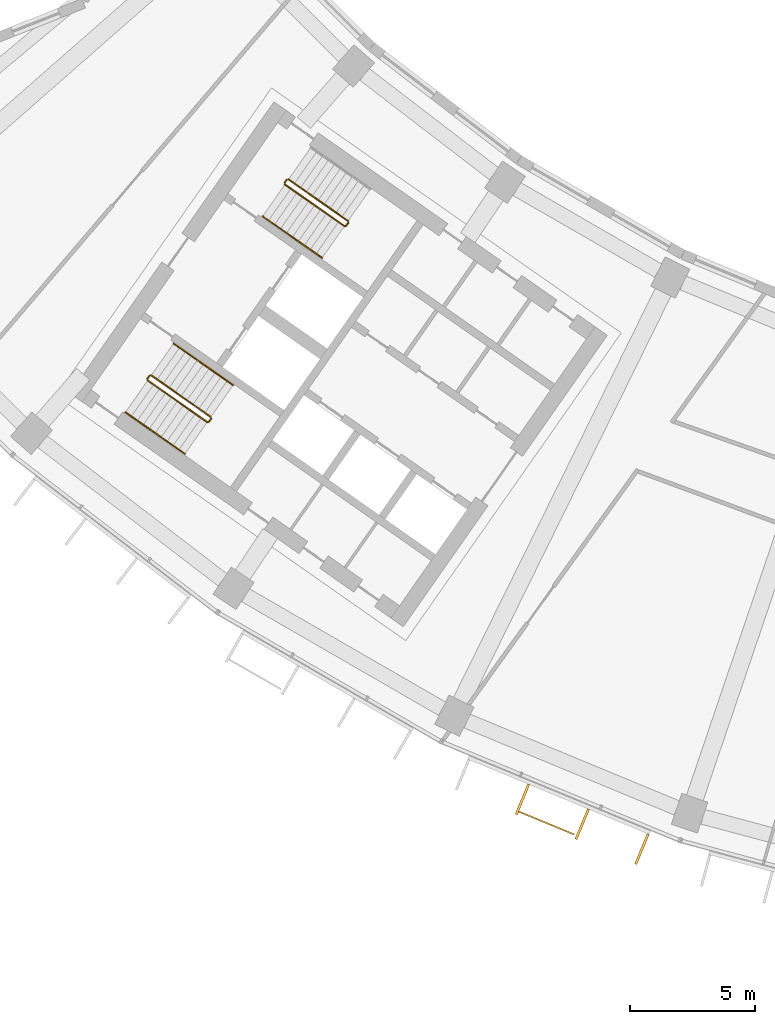
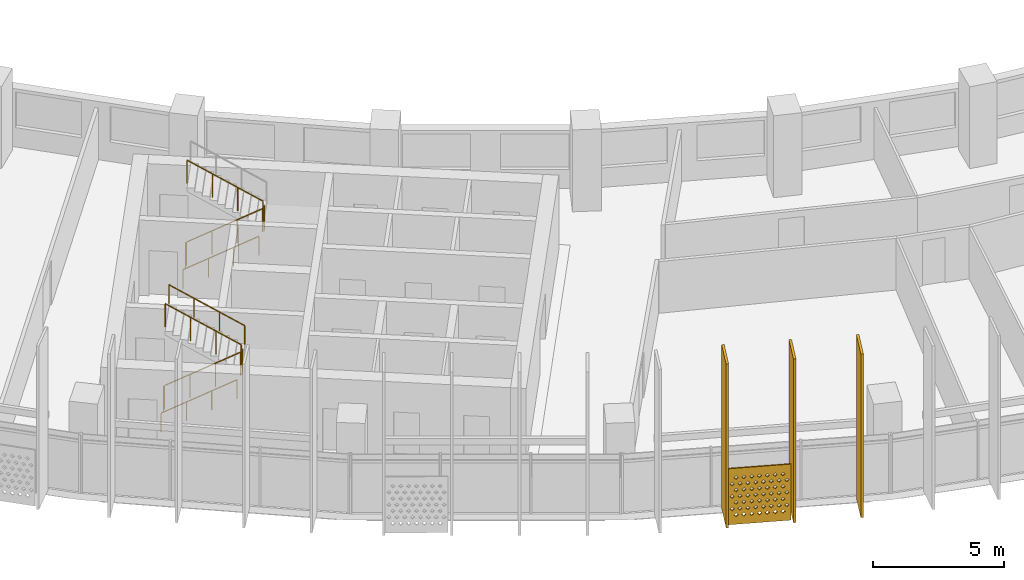
# One storey, part 22 of 26: 9 railings, 4 shading devices.
"""IFC4 building model written with IfcOpenShell, lengths in metres."""

from ifc_helpers import new_model, si_unit, direction, frame, origin, origin_2d, place, context, subcontext, project, spatial, polyline, rectangle, circle, outline, extrude, material, material_profile, profile_set, type_object, element, save


model = new_model("IFC4")

# Units and contexts
model_context = context("Model", 3, precision=1e-05, world=origin(), true_north=direction((0.0, 1.0)))
body_context = subcontext(model_context, "Body", "Model", "MODEL_VIEW")
ifc_project = project(units=[si_unit("LENGTHUNIT", "METRE"), si_unit("AREAUNIT", "SQUARE_METRE"), si_unit("VOLUMEUNIT", "CUBIC_METRE"), si_unit("PLANEANGLEUNIT", "RADIAN"), si_unit("MASSUNIT", "GRAM", prefix="KILO")], contexts=[model_context])

# Site, building, storey
site_placement = place(None, origin())
site = spatial("IfcSite", under=ifc_project, at=site_placement, CompositionType="ELEMENT")
building_placement = place(site_placement, origin())
building = spatial("IfcBuilding", under=site, at=building_placement, Name="Qamariyya Broadcast Tower", CompositionType="ELEMENT")
storey_placement = place(building_placement, frame((0.0, 0.0, 156.89990234375)))
storey = spatial("IfcBuildingStorey", under=building, at=storey_placement, Name="L36", CompositionType="ELEMENT", Elevation=156.89990234375)

# Shading device
ifc_material_1 = material(Name="Perforated glazed terracotta", Category="masonry")
ifc_material_profile_1 = material_profile(ifc_material_1, outline(polyline([(-1.199951171875, -1.300048828125), (1.199951171875, -1.300048828125), (1.199951171875, 1.300048828125), (-1.199951171875, 1.300048828125), (-1.199951171875, -1.300048828125)]), holes=[polyline([(-0.81494140625, -0.86669921875), (-0.89990234375, -0.78173828125), (-0.985107421875, -0.86669921875), (-0.89990234375, -0.95166015625), (-0.81494140625, -0.86669921875)]), polyline([(-0.514892578125, -0.86669921875), (-0.60009765625, -0.78173828125), (-0.68505859375, -0.86669921875), (-0.60009765625, -0.95166015625), (-0.514892578125, -0.86669921875)]), polyline([(-0.215087890625, -0.86669921875), (-0.300048828125, -0.78173828125), (-0.385009765625, -0.86669921875), (-0.300048828125, -0.95166015625), (-0.215087890625, -0.86669921875)]), polyline([(0.0849609375, -0.86669921875), (0.0, -0.78173828125), (-0.0849609375, -0.86669921875), (0.0, -0.95166015625), (0.0849609375, -0.86669921875)]), polyline([(0.385009765625, -0.86669921875), (0.300048828125, -0.78173828125), (0.215087890625, -0.86669921875), (0.300048828125, -0.95166015625), (0.385009765625, -0.86669921875)]), polyline([(0.68505859375, -0.86669921875), (0.60009765625, -0.78173828125), (0.514892578125, -0.86669921875), (0.60009765625, -0.95166015625), (0.68505859375, -0.86669921875)]), polyline([(0.985107421875, -0.86669921875), (0.89990234375, -0.78173828125), (0.81494140625, -0.86669921875), (0.89990234375, -0.95166015625), (0.985107421875, -0.86669921875)]), polyline([(-0.965087890625, -0.577880859375), (-1.050048828125, -0.49267578125), (-1.135009765625, -0.577880859375), (-1.050048828125, -0.662841796875), (-0.965087890625, -0.577880859375)]), polyline([(-0.6650390625, -0.577880859375), (-0.75, -0.49267578125), (-0.8349609375, -0.577880859375), (-0.75, -0.662841796875), (-0.6650390625, -0.577880859375)]), polyline([(-0.364990234375, -0.577880859375), (-0.449951171875, -0.49267578125), (-0.534912109375, -0.577880859375), (-0.449951171875, -0.662841796875), (-0.364990234375, -0.577880859375)]), polyline([(-0.06494140625, -0.577880859375), (-0.14990234375, -0.49267578125), (-0.235107421875, -0.577880859375), (-0.14990234375, -0.662841796875), (-0.06494140625, -0.577880859375)]), polyline([(0.235107421875, -0.577880859375), (0.14990234375, -0.49267578125), (0.06494140625, -0.577880859375), (0.14990234375, -0.662841796875), (0.235107421875, -0.577880859375)]), polyline([(0.534912109375, -0.577880859375), (0.449951171875, -0.49267578125), (0.364990234375, -0.577880859375), (0.449951171875, -0.662841796875), (0.534912109375, -0.577880859375)]), polyline([(0.8349609375, -0.577880859375), (0.75, -0.49267578125), (0.6650390625, -0.577880859375), (0.75, -0.662841796875), (0.8349609375, -0.577880859375)]), polyline([(1.135009765625, -0.577880859375), (1.050048828125, -0.49267578125), (0.965087890625, -0.577880859375), (1.050048828125, -0.662841796875), (1.135009765625, -0.577880859375)]), polyline([(-0.81494140625, -0.288818359375), (-0.89990234375, -0.203857421875), (-0.985107421875, -0.288818359375), (-0.89990234375, -0.373779296875), (-0.81494140625, -0.288818359375)]), polyline([(-0.514892578125, -0.288818359375), (-0.60009765625, -0.203857421875), (-0.68505859375, -0.288818359375), (-0.60009765625, -0.373779296875), (-0.514892578125, -0.288818359375)]), polyline([(-0.215087890625, -0.288818359375), (-0.300048828125, -0.203857421875), (-0.385009765625, -0.288818359375), (-0.300048828125, -0.373779296875), (-0.215087890625, -0.288818359375)]), polyline([(0.0849609375, -0.288818359375), (0.0, -0.203857421875), (-0.0849609375, -0.288818359375), (0.0, -0.373779296875), (0.0849609375, -0.288818359375)]), polyline([(0.385009765625, -0.288818359375), (0.300048828125, -0.203857421875), (0.215087890625, -0.288818359375), (0.300048828125, -0.373779296875), (0.385009765625, -0.288818359375)]), polyline([(0.68505859375, -0.288818359375), (0.60009765625, -0.203857421875), (0.514892578125, -0.288818359375), (0.60009765625, -0.373779296875), (0.68505859375, -0.288818359375)]), polyline([(0.985107421875, -0.288818359375), (0.89990234375, -0.203857421875), (0.81494140625, -0.288818359375), (0.89990234375, -0.373779296875), (0.985107421875, -0.288818359375)]), polyline([(-0.965087890625, 0.0), (-1.050048828125, 0.0849609375), (-1.135009765625, 0.0), (-1.050048828125, -0.0849609375), (-0.965087890625, 0.0)]), polyline([(-0.6650390625, 0.0), (-0.75, 0.0849609375), (-0.8349609375, 0.0), (-0.75, -0.0849609375), (-0.6650390625, 0.0)]), polyline([(-0.364990234375, 0.0), (-0.449951171875, 0.0849609375), (-0.534912109375, 0.0), (-0.449951171875, -0.0849609375), (-0.364990234375, 0.0)]), polyline([(-0.06494140625, 0.0), (-0.14990234375, 0.0849609375), (-0.235107421875, 0.0), (-0.14990234375, -0.0849609375), (-0.06494140625, 0.0)]), polyline([(0.235107421875, 0.0), (0.14990234375, 0.0849609375), (0.06494140625, 0.0), (0.14990234375, -0.0849609375), (0.235107421875, 0.0)]), polyline([(0.534912109375, 0.0), (0.449951171875, 0.0849609375), (0.364990234375, 0.0), (0.449951171875, -0.0849609375), (0.534912109375, 0.0)]), polyline([(0.8349609375, 0.0), (0.75, 0.0849609375), (0.6650390625, 0.0), (0.75, -0.0849609375), (0.8349609375, 0.0)]), polyline([(1.135009765625, 0.0), (1.050048828125, 0.0849609375), (0.965087890625, 0.0), (1.050048828125, -0.0849609375), (1.135009765625, 0.0)]), polyline([(-0.81494140625, 0.288818359375), (-0.89990234375, 0.373779296875), (-0.985107421875, 0.288818359375), (-0.89990234375, 0.203857421875), (-0.81494140625, 0.288818359375)]), polyline([(-0.514892578125, 0.288818359375), (-0.60009765625, 0.373779296875), (-0.68505859375, 0.288818359375), (-0.60009765625, 0.203857421875), (-0.514892578125, 0.288818359375)]), polyline([(-0.215087890625, 0.288818359375), (-0.300048828125, 0.373779296875), (-0.385009765625, 0.288818359375), (-0.300048828125, 0.203857421875), (-0.215087890625, 0.288818359375)]), polyline([(0.0849609375, 0.288818359375), (0.0, 0.373779296875), (-0.0849609375, 0.288818359375), (0.0, 0.203857421875), (0.0849609375, 0.288818359375)]), polyline([(0.385009765625, 0.288818359375), (0.300048828125, 0.373779296875), (0.215087890625, 0.288818359375), (0.300048828125, 0.203857421875), (0.385009765625, 0.288818359375)]), polyline([(0.68505859375, 0.288818359375), (0.60009765625, 0.373779296875), (0.514892578125, 0.288818359375), (0.60009765625, 0.203857421875), (0.68505859375, 0.288818359375)]), polyline([(0.985107421875, 0.288818359375), (0.89990234375, 0.373779296875), (0.81494140625, 0.288818359375), (0.89990234375, 0.203857421875), (0.985107421875, 0.288818359375)]), polyline([(-0.965087890625, 0.577880859375), (-1.050048828125, 0.662841796875), (-1.135009765625, 0.577880859375), (-1.050048828125, 0.49267578125), (-0.965087890625, 0.577880859375)]), polyline([(-0.6650390625, 0.577880859375), (-0.75, 0.662841796875), (-0.8349609375, 0.577880859375), (-0.75, 0.49267578125), (-0.6650390625, 0.577880859375)]), polyline([(-0.364990234375, 0.577880859375), (-0.449951171875, 0.662841796875), (-0.534912109375, 0.577880859375), (-0.449951171875, 0.49267578125), (-0.364990234375, 0.577880859375)]), polyline([(-0.06494140625, 0.577880859375), (-0.14990234375, 0.662841796875), (-0.235107421875, 0.577880859375), (-0.14990234375, 0.49267578125), (-0.06494140625, 0.577880859375)]), polyline([(0.235107421875, 0.577880859375), (0.14990234375, 0.662841796875), (0.06494140625, 0.577880859375), (0.14990234375, 0.49267578125), (0.235107421875, 0.577880859375)]), polyline([(0.534912109375, 0.577880859375), (0.449951171875, 0.662841796875), (0.364990234375, 0.577880859375), (0.449951171875, 0.49267578125), (0.534912109375, 0.577880859375)]), polyline([(0.8349609375, 0.577880859375), (0.75, 0.662841796875), (0.6650390625, 0.577880859375), (0.75, 0.49267578125), (0.8349609375, 0.577880859375)]), polyline([(1.135009765625, 0.577880859375), (1.050048828125, 0.662841796875), (0.965087890625, 0.577880859375), (1.050048828125, 0.49267578125), (1.135009765625, 0.577880859375)]), polyline([(-0.81494140625, 0.86669921875), (-0.89990234375, 0.95166015625), (-0.985107421875, 0.86669921875), (-0.89990234375, 0.78173828125), (-0.81494140625, 0.86669921875)]), polyline([(-0.514892578125, 0.86669921875), (-0.60009765625, 0.95166015625), (-0.68505859375, 0.86669921875), (-0.60009765625, 0.78173828125), (-0.514892578125, 0.86669921875)]), polyline([(-0.215087890625, 0.86669921875), (-0.300048828125, 0.95166015625), (-0.385009765625, 0.86669921875), (-0.300048828125, 0.78173828125), (-0.215087890625, 0.86669921875)]), polyline([(0.0849609375, 0.86669921875), (0.0, 0.95166015625), (-0.0849609375, 0.86669921875), (0.0, 0.78173828125), (0.0849609375, 0.86669921875)]), polyline([(0.385009765625, 0.86669921875), (0.300048828125, 0.95166015625), (0.215087890625, 0.86669921875), (0.300048828125, 0.78173828125), (0.385009765625, 0.86669921875)]), polyline([(0.68505859375, 0.86669921875), (0.60009765625, 0.95166015625), (0.514892578125, 0.86669921875), (0.60009765625, 0.78173828125), (0.68505859375, 0.86669921875)]), polyline([(0.985107421875, 0.86669921875), (0.89990234375, 0.95166015625), (0.81494140625, 0.86669921875), (0.89990234375, 0.78173828125), (0.985107421875, 0.86669921875)])]))
ifc_profile_set_1 = profile_set([ifc_material_profile_1], Name="Perforated glazed terracotta")
shading_device_type_1 = type_object("IfcShadingDeviceType", Name="Perforated terracotta screen 2400 x 2600", PredefinedType="USERDEFINED", material=ifc_profile_set_1)
shading_device_placement = place(storey_placement, frame((-30.69189453125, -73.987548828125, 1.35009765625), z_axis=(-0.382591441855, -0.923917630863, 0.0), x_axis=(0.923917630863, -0.382591441855, 0.0)))
element("IfcShadingDevice", 1, at=shading_device_placement, inside=storey, type_object=shading_device_type_1, Name="e-scr-L36-04-1", ObjectType="SCREEN", PredefinedType="USERDEFINED", context=body_context, shape_type="SweptSolid", body=[
    extrude(outline(polyline([(-1.199951171875, -1.300048828125), (1.199951171875, -1.300048828125), (1.199951171875, 1.300048828125), (-1.199951171875, 1.300048828125), (-1.199951171875, -1.300048828125)]), holes=[polyline([(-0.81494140625, -0.86669921875), (-0.89990234375, -0.78173828125), (-0.985107421875, -0.86669921875), (-0.89990234375, -0.95166015625), (-0.81494140625, -0.86669921875)]), polyline([(-0.514892578125, -0.86669921875), (-0.60009765625, -0.78173828125), (-0.68505859375, -0.86669921875), (-0.60009765625, -0.95166015625), (-0.514892578125, -0.86669921875)]), polyline([(-0.215087890625, -0.86669921875), (-0.300048828125, -0.78173828125), (-0.385009765625, -0.86669921875), (-0.300048828125, -0.95166015625), (-0.215087890625, -0.86669921875)]), polyline([(0.0849609375, -0.86669921875), (0.0, -0.78173828125), (-0.0849609375, -0.86669921875), (0.0, -0.95166015625), (0.0849609375, -0.86669921875)]), polyline([(0.385009765625, -0.86669921875), (0.300048828125, -0.78173828125), (0.215087890625, -0.86669921875), (0.300048828125, -0.95166015625), (0.385009765625, -0.86669921875)]), polyline([(0.68505859375, -0.86669921875), (0.60009765625, -0.78173828125), (0.514892578125, -0.86669921875), (0.60009765625, -0.95166015625), (0.68505859375, -0.86669921875)]), polyline([(0.985107421875, -0.86669921875), (0.89990234375, -0.78173828125), (0.81494140625, -0.86669921875), (0.89990234375, -0.95166015625), (0.985107421875, -0.86669921875)]), polyline([(-0.965087890625, -0.577880859375), (-1.050048828125, -0.49267578125), (-1.135009765625, -0.577880859375), (-1.050048828125, -0.662841796875), (-0.965087890625, -0.577880859375)]), polyline([(-0.6650390625, -0.577880859375), (-0.75, -0.49267578125), (-0.8349609375, -0.577880859375), (-0.75, -0.662841796875), (-0.6650390625, -0.577880859375)]), polyline([(-0.364990234375, -0.577880859375), (-0.449951171875, -0.49267578125), (-0.534912109375, -0.577880859375), (-0.449951171875, -0.662841796875), (-0.364990234375, -0.577880859375)]), polyline([(-0.06494140625, -0.577880859375), (-0.14990234375, -0.49267578125), (-0.235107421875, -0.577880859375), (-0.14990234375, -0.662841796875), (-0.06494140625, -0.577880859375)]), polyline([(0.235107421875, -0.577880859375), (0.14990234375, -0.49267578125), (0.06494140625, -0.577880859375), (0.14990234375, -0.662841796875), (0.235107421875, -0.577880859375)]), polyline([(0.534912109375, -0.577880859375), (0.449951171875, -0.49267578125), (0.364990234375, -0.577880859375), (0.449951171875, -0.662841796875), (0.534912109375, -0.577880859375)]), polyline([(0.8349609375, -0.577880859375), (0.75, -0.49267578125), (0.6650390625, -0.577880859375), (0.75, -0.662841796875), (0.8349609375, -0.577880859375)]), polyline([(1.135009765625, -0.577880859375), (1.050048828125, -0.49267578125), (0.965087890625, -0.577880859375), (1.050048828125, -0.662841796875), (1.135009765625, -0.577880859375)]), polyline([(-0.81494140625, -0.288818359375), (-0.89990234375, -0.203857421875), (-0.985107421875, -0.288818359375), (-0.89990234375, -0.373779296875), (-0.81494140625, -0.288818359375)]), polyline([(-0.514892578125, -0.288818359375), (-0.60009765625, -0.203857421875), (-0.68505859375, -0.288818359375), (-0.60009765625, -0.373779296875), (-0.514892578125, -0.288818359375)]), polyline([(-0.215087890625, -0.288818359375), (-0.300048828125, -0.203857421875), (-0.385009765625, -0.288818359375), (-0.300048828125, -0.373779296875), (-0.215087890625, -0.288818359375)]), polyline([(0.0849609375, -0.288818359375), (0.0, -0.203857421875), (-0.0849609375, -0.288818359375), (0.0, -0.373779296875), (0.0849609375, -0.288818359375)]), polyline([(0.385009765625, -0.288818359375), (0.300048828125, -0.203857421875), (0.215087890625, -0.288818359375), (0.300048828125, -0.373779296875), (0.385009765625, -0.288818359375)]), polyline([(0.68505859375, -0.288818359375), (0.60009765625, -0.203857421875), (0.514892578125, -0.288818359375), (0.60009765625, -0.373779296875), (0.68505859375, -0.288818359375)]), polyline([(0.985107421875, -0.288818359375), (0.89990234375, -0.203857421875), (0.81494140625, -0.288818359375), (0.89990234375, -0.373779296875), (0.985107421875, -0.288818359375)]), polyline([(-0.965087890625, 0.0), (-1.050048828125, 0.0849609375), (-1.135009765625, 0.0), (-1.050048828125, -0.0849609375), (-0.965087890625, 0.0)]), polyline([(-0.6650390625, 0.0), (-0.75, 0.0849609375), (-0.8349609375, 0.0), (-0.75, -0.0849609375), (-0.6650390625, 0.0)]), polyline([(-0.364990234375, 0.0), (-0.449951171875, 0.0849609375), (-0.534912109375, 0.0), (-0.449951171875, -0.0849609375), (-0.364990234375, 0.0)]), polyline([(-0.06494140625, 0.0), (-0.14990234375, 0.0849609375), (-0.235107421875, 0.0), (-0.14990234375, -0.0849609375), (-0.06494140625, 0.0)]), polyline([(0.235107421875, 0.0), (0.14990234375, 0.0849609375), (0.06494140625, 0.0), (0.14990234375, -0.0849609375), (0.235107421875, 0.0)]), polyline([(0.534912109375, 0.0), (0.449951171875, 0.0849609375), (0.364990234375, 0.0), (0.449951171875, -0.0849609375), (0.534912109375, 0.0)]), polyline([(0.8349609375, 0.0), (0.75, 0.0849609375), (0.6650390625, 0.0), (0.75, -0.0849609375), (0.8349609375, 0.0)]), polyline([(1.135009765625, 0.0), (1.050048828125, 0.0849609375), (0.965087890625, 0.0), (1.050048828125, -0.0849609375), (1.135009765625, 0.0)]), polyline([(-0.81494140625, 0.288818359375), (-0.89990234375, 0.373779296875), (-0.985107421875, 0.288818359375), (-0.89990234375, 0.203857421875), (-0.81494140625, 0.288818359375)]), polyline([(-0.514892578125, 0.288818359375), (-0.60009765625, 0.373779296875), (-0.68505859375, 0.288818359375), (-0.60009765625, 0.203857421875), (-0.514892578125, 0.288818359375)]), polyline([(-0.215087890625, 0.288818359375), (-0.300048828125, 0.373779296875), (-0.385009765625, 0.288818359375), (-0.300048828125, 0.203857421875), (-0.215087890625, 0.288818359375)]), polyline([(0.0849609375, 0.288818359375), (0.0, 0.373779296875), (-0.0849609375, 0.288818359375), (0.0, 0.203857421875), (0.0849609375, 0.288818359375)]), polyline([(0.385009765625, 0.288818359375), (0.300048828125, 0.373779296875), (0.215087890625, 0.288818359375), (0.300048828125, 0.203857421875), (0.385009765625, 0.288818359375)]), polyline([(0.68505859375, 0.288818359375), (0.60009765625, 0.373779296875), (0.514892578125, 0.288818359375), (0.60009765625, 0.203857421875), (0.68505859375, 0.288818359375)]), polyline([(0.985107421875, 0.288818359375), (0.89990234375, 0.373779296875), (0.81494140625, 0.288818359375), (0.89990234375, 0.203857421875), (0.985107421875, 0.288818359375)]), polyline([(-0.965087890625, 0.577880859375), (-1.050048828125, 0.662841796875), (-1.135009765625, 0.577880859375), (-1.050048828125, 0.49267578125), (-0.965087890625, 0.577880859375)]), polyline([(-0.6650390625, 0.577880859375), (-0.75, 0.662841796875), (-0.8349609375, 0.577880859375), (-0.75, 0.49267578125), (-0.6650390625, 0.577880859375)]), polyline([(-0.364990234375, 0.577880859375), (-0.449951171875, 0.662841796875), (-0.534912109375, 0.577880859375), (-0.449951171875, 0.49267578125), (-0.364990234375, 0.577880859375)]), polyline([(-0.06494140625, 0.577880859375), (-0.14990234375, 0.662841796875), (-0.235107421875, 0.577880859375), (-0.14990234375, 0.49267578125), (-0.06494140625, 0.577880859375)]), polyline([(0.235107421875, 0.577880859375), (0.14990234375, 0.662841796875), (0.06494140625, 0.577880859375), (0.14990234375, 0.49267578125), (0.235107421875, 0.577880859375)]), polyline([(0.534912109375, 0.577880859375), (0.449951171875, 0.662841796875), (0.364990234375, 0.577880859375), (0.449951171875, 0.49267578125), (0.534912109375, 0.577880859375)]), polyline([(0.8349609375, 0.577880859375), (0.75, 0.662841796875), (0.6650390625, 0.577880859375), (0.75, 0.49267578125), (0.8349609375, 0.577880859375)]), polyline([(1.135009765625, 0.577880859375), (1.050048828125, 0.662841796875), (0.965087890625, 0.577880859375), (1.050048828125, 0.49267578125), (1.135009765625, 0.577880859375)]), polyline([(-0.81494140625, 0.86669921875), (-0.89990234375, 0.95166015625), (-0.985107421875, 0.86669921875), (-0.89990234375, 0.78173828125), (-0.81494140625, 0.86669921875)]), polyline([(-0.514892578125, 0.86669921875), (-0.60009765625, 0.95166015625), (-0.68505859375, 0.86669921875), (-0.60009765625, 0.78173828125), (-0.514892578125, 0.86669921875)]), polyline([(-0.215087890625, 0.86669921875), (-0.300048828125, 0.95166015625), (-0.385009765625, 0.86669921875), (-0.300048828125, 0.78173828125), (-0.215087890625, 0.86669921875)]), polyline([(0.0849609375, 0.86669921875), (0.0, 0.95166015625), (-0.0849609375, 0.86669921875), (0.0, 0.78173828125), (0.0849609375, 0.86669921875)]), polyline([(0.385009765625, 0.86669921875), (0.300048828125, 0.95166015625), (0.215087890625, 0.86669921875), (0.300048828125, 0.78173828125), (0.385009765625, 0.86669921875)]), polyline([(0.68505859375, 0.86669921875), (0.60009765625, 0.95166015625), (0.514892578125, 0.86669921875), (0.60009765625, 0.78173828125), (0.68505859375, 0.86669921875)]), polyline([(0.985107421875, 0.86669921875), (0.89990234375, 0.95166015625), (0.81494140625, 0.86669921875), (0.89990234375, 0.78173828125), (0.985107421875, 0.86669921875)])]), origin(), (0.0, 0.0, 1.0), 0.06005859375),
])

# Railings
ifc_material_2 = material(Name="Painted steel", Category="steel")
railing_type_1 = type_object("IfcRailingType", Name="Stair guard", PredefinedType="GUARDRAIL", material=ifc_material_2)
railing_1_placement = place(storey_placement, frame((-41.146728515625, -48.52490234375, 0.1728515625)))
element("IfcRailing", 2, at=railing_1_placement, inside=storey, type_object=railing_type_1, Name="L36 ST-W2 stair guard 1", PredefinedType="GUARDRAIL", context=body_context, shape_type="SweptSolid", body=[
    extrude(circle(Radius=0.02392578125, at=origin_2d()), frame((0.0, 0.0, 1.076171875), z_axis=(0.703770094002, -0.492783725636, 0.511734163933), x_axis=(0.573575343427, 0.819152809562, 0.0)), (0.0, 0.0, 1.0), 3.37548828125),
    extrude(circle(Radius=0.02392578125, at=origin_2d()), frame((2.37548828125, -1.663330078125, 2.80322265625), z_axis=(0.985059694769, 0.172213233351, 0.0), x_axis=(-0.172213233351, 0.985059694769, 0.0)), (0.0, 0.0, 1.0), 0.07080078125),
    extrude(circle(Radius=0.02392578125, at=origin_2d()), frame((2.4453125, -1.651123046875, 2.80322265625), z_axis=(0.572588637393, 0.819842821722, 0.0), x_axis=(-0.819842821722, 0.572588637393, 0.0)), (0.0, 0.0, 1.0), 0.150146484375),
    extrude(circle(Radius=0.02099609375, at=origin_2d()), origin(), (0.0, 0.0, 1.0), 1.052001953125),
    extrude(circle(Radius=0.02099609375, at=origin_2d()), frame((0.791748046875, -0.554443359375, 0.57568359375)), (0.0, 0.0, 1.0), 1.052001953125),
    extrude(circle(Radius=0.02099609375, at=origin_2d()), frame((1.583740234375, -1.10888671875, 1.151611328125)), (0.0, 0.0, 1.0), 1.052001953125),
    extrude(circle(Radius=0.02099609375, at=origin_2d()), frame((2.37548828125, -1.663330078125, 1.727294921875)), (0.0, 0.0, 1.0), 1.052001953125),
    extrude(circle(Radius=0.02099609375, at=origin_2d()), frame((2.4453125, -1.651123046875, 1.727294921875)), (0.0, 0.0, 1.0), 1.052001953125),
    extrude(circle(Radius=0.02099609375, at=origin_2d()), frame((2.53125, -1.528076171875, 1.727294921875)), (0.0, 0.0, 1.0), 1.052001953125),
])
railing_2_placement = place(storey_placement, frame((-38.627685546875, -49.9833984375, 2.07275390625)))
element("IfcRailing", 3, at=railing_2_placement, inside=storey, type_object=railing_type_1, Name="L36 ST-W2 stair guard 2", PredefinedType="GUARDRAIL", context=body_context, shape_type="SweptSolid", body=[
    extrude(circle(Radius=0.02392578125, at=origin_2d()), frame((0.0, 0.0, 1.076171875), z_axis=(-0.703770094002, 0.492783725636, 0.511734163933), x_axis=(-0.573575343427, -0.819152809562, 0.0)), (0.0, 0.0, 1.0), 3.37548828125),
    extrude(circle(Radius=0.02099609375, at=origin_2d()), origin(), (0.0, 0.0, 1.0), 1.052001953125),
    extrude(circle(Radius=0.02099609375, at=origin_2d()), frame((-0.791748046875, 0.554443359375, 0.57568359375)), (0.0, 0.0, 1.0), 1.052001953125),
    extrude(circle(Radius=0.02099609375, at=origin_2d()), frame((-1.583740234375, 1.10888671875, 1.151611328125)), (0.0, 0.0, 1.0), 1.052001953125),
    extrude(circle(Radius=0.02099609375, at=origin_2d()), frame((-2.37548828125, 1.663330078125, 1.727294921875)), (0.0, 0.0, 1.0), 1.052001953125),
])
railing_3_placement = place(storey_placement, frame((-41.158935546875, -48.455322265625, 0.0)))
element("IfcRailing", 4, at=railing_3_placement, inside=storey, type_object=railing_type_1, Name="L36 ST-W2 stair guard 3", PredefinedType="GUARDRAIL", context=body_context, shape_type="SweptSolid", body=[
    extrude(circle(Radius=0.02392578125, at=origin_2d()), frame((0.0, 0.0, 1.076171875), z_axis=(0.572588637393, 0.819842821722, 0.0), x_axis=(-0.819842821722, 0.572588637393, 0.0)), (0.0, 0.0, 1.0), 0.150146484375),
    extrude(circle(Radius=0.02099609375, at=origin_2d()), origin(), (0.0, 0.0, 1.0), 1.052001953125),
    extrude(circle(Radius=0.02099609375, at=origin_2d()), frame((0.0859375, 0.123046875, 0.0)), (0.0, 0.0, 1.0), 1.052001953125),
])
railing_4_placement = place(storey_placement, frame((-46.624267578125, -56.34765625, 0.1728515625)))
element("IfcRailing", 5, at=railing_4_placement, inside=storey, type_object=railing_type_1, Name="L36 ST-W1 stair guard 1", PredefinedType="GUARDRAIL", context=body_context, shape_type="SweptSolid", body=[
    extrude(circle(Radius=0.02392578125, at=origin_2d()), frame((0.0, 0.0, 1.076171875), z_axis=(0.703745009021, -0.492838488332, 0.511715923826), x_axis=(0.573631830683, 0.819113253969, 0.0)), (0.0, 0.0, 1.0), 3.37548828125),
    extrude(circle(Radius=0.02392578125, at=origin_2d()), frame((2.37548828125, -1.66357421875, 2.80322265625), z_axis=(0.984363469884, 0.176149252506, 0.0), x_axis=(-0.176149252506, 0.984363469884, 0.0)), (0.0, 0.0, 1.0), 0.07080078125),
    extrude(circle(Radius=0.02392578125, at=origin_2d()), frame((2.445068359375, -1.651123046875, 2.80322265625), z_axis=(0.574444878118, 0.818543268254, 0.0), x_axis=(-0.818543268254, 0.574444878118, 0.0)), (0.0, 0.0, 1.0), 0.150146484375),
    extrude(circle(Radius=0.02099609375, at=origin_2d()), origin(), (0.0, 0.0, 1.0), 1.052001953125),
    extrude(circle(Radius=0.02099609375, at=origin_2d()), frame((0.791748046875, -0.554443359375, 0.57568359375)), (0.0, 0.0, 1.0), 1.052001953125),
    extrude(circle(Radius=0.02099609375, at=origin_2d()), frame((1.583740234375, -1.109130859375, 1.151611328125)), (0.0, 0.0, 1.0), 1.052001953125),
    extrude(circle(Radius=0.02099609375, at=origin_2d()), frame((2.37548828125, -1.66357421875, 1.727294921875)), (0.0, 0.0, 1.0), 1.052001953125),
    extrude(circle(Radius=0.02099609375, at=origin_2d()), frame((2.445068359375, -1.651123046875, 1.727294921875)), (0.0, 0.0, 1.0), 1.052001953125),
    extrude(circle(Radius=0.02099609375, at=origin_2d()), frame((2.53125, -1.5283203125, 1.727294921875)), (0.0, 0.0, 1.0), 1.052001953125),
])
railing_5_placement = place(storey_placement, frame((-44.10546875, -57.806396484375, 2.07275390625)))
element("IfcRailing", 6, at=railing_5_placement, inside=storey, type_object=railing_type_1, Name="L36 ST-W1 stair guard 2", PredefinedType="GUARDRAIL", context=body_context, shape_type="SweptSolid", body=[
    extrude(circle(Radius=0.02392578125, at=origin_2d()), frame((0.0, 0.0, 1.076171875), z_axis=(-0.703770094002, 0.492783725636, 0.511734163933), x_axis=(-0.573575343427, -0.819152809562, 0.0)), (0.0, 0.0, 1.0), 3.37548828125),
    extrude(circle(Radius=0.02099609375, at=origin_2d()), origin(), (0.0, 0.0, 1.0), 1.052001953125),
    extrude(circle(Radius=0.02099609375, at=origin_2d()), frame((-0.791748046875, 0.554443359375, 0.57568359375)), (0.0, 0.0, 1.0), 1.052001953125),
    extrude(circle(Radius=0.02099609375, at=origin_2d()), frame((-1.583740234375, 1.10888671875, 1.151611328125)), (0.0, 0.0, 1.0), 1.052001953125),
    extrude(circle(Radius=0.02099609375, at=origin_2d()), frame((-2.37548828125, 1.663330078125, 1.727294921875)), (0.0, 0.0, 1.0), 1.052001953125),
])
railing_6_placement = place(storey_placement, frame((-46.63671875, -56.278076171875, 0.0)))
element("IfcRailing", 7, at=railing_6_placement, inside=storey, type_object=railing_type_1, Name="L36 ST-W1 stair guard 3", PredefinedType="GUARDRAIL", context=body_context, shape_type="SweptSolid", body=[
    extrude(circle(Radius=0.02392578125, at=origin_2d()), frame((0.0, 0.0, 1.076171875), z_axis=(0.574444878118, 0.818543268254, 0.0), x_axis=(-0.818543268254, 0.574444878118, 0.0)), (0.0, 0.0, 1.0), 0.150146484375),
    extrude(circle(Radius=0.02099609375, at=origin_2d()), origin(), (0.0, 0.0, 1.0), 1.052001953125),
    extrude(circle(Radius=0.02099609375, at=origin_2d()), frame((0.086181640625, 0.122802734375, 0.0)), (0.0, 0.0, 1.0), 1.052001953125),
])
ifc_material_3 = material(Name="Stainless steel", Category="steel")
railing_type_2 = type_object("IfcRailingType", Name="Stair handrail", PredefinedType="HANDRAIL", material=ifc_material_3)
railing_7_placement = place(storey_placement, frame((-42.03564453125, -49.79443359375, 0.1728515625)))
element("IfcRailing", 8, at=railing_7_placement, inside=storey, type_object=railing_type_2, Name="L36 ST-W2 stair handrail 1", PredefinedType="HANDRAIL", context=body_context, shape_type="SweptSolid", body=[
    extrude(circle(Radius=0.02392578125, at=origin_2d()), frame((0.0, 0.0, 0.8759765625), z_axis=(0.703745009021, -0.492838488332, 0.511715923826), x_axis=(0.573631830683, 0.819113253969, 0.0)), (0.0, 0.0, 1.0), 3.37548828125),
    extrude(circle(Radius=0.02099609375, at=origin_2d()), origin(), (0.0, 0.0, 1.0), 0.851806640625),
    extrude(circle(Radius=0.02099609375, at=origin_2d()), frame((0.791748046875, -0.554443359375, 0.57568359375)), (0.0, 0.0, 1.0), 0.851806640625),
    extrude(circle(Radius=0.02099609375, at=origin_2d()), frame((1.583740234375, -1.109130859375, 1.151611328125)), (0.0, 0.0, 1.0), 0.851806640625),
    extrude(circle(Radius=0.02099609375, at=origin_2d()), frame((2.37548828125, -1.66357421875, 1.727294921875)), (0.0, 0.0, 1.0), 0.851806640625),
])
railing_8_placement = place(storey_placement, frame((-47.513427734375, -57.617431640625, 0.1728515625)))
element("IfcRailing", 9, at=railing_8_placement, inside=storey, type_object=railing_type_2, Name="L36 ST-W1 stair handrail 1", PredefinedType="HANDRAIL", context=body_context, shape_type="SweptSolid", body=[
    extrude(circle(Radius=0.02392578125, at=origin_2d()), frame((0.0, 0.0, 0.8759765625), z_axis=(0.703770094002, -0.492783725636, 0.511734163933), x_axis=(0.573575343427, 0.819152809562, 0.0)), (0.0, 0.0, 1.0), 3.37548828125),
    extrude(circle(Radius=0.02099609375, at=origin_2d()), origin(), (0.0, 0.0, 1.0), 0.851806640625),
    extrude(circle(Radius=0.02099609375, at=origin_2d()), frame((0.791748046875, -0.554443359375, 0.57568359375)), (0.0, 0.0, 1.0), 0.851806640625),
    extrude(circle(Radius=0.02099609375, at=origin_2d()), frame((1.583740234375, -1.10888671875, 1.151611328125)), (0.0, 0.0, 1.0), 0.851806640625),
    extrude(circle(Radius=0.02099609375, at=origin_2d()), frame((2.37548828125, -1.663330078125, 1.727294921875)), (0.0, 0.0, 1.0), 0.851806640625),
])
railing_9_placement = place(storey_placement, frame((-43.21630859375, -56.53662109375, 2.07275390625)))
element("IfcRailing", 10, at=railing_9_placement, inside=storey, type_object=railing_type_2, Name="L36 ST-W1 stair handrail 2", PredefinedType="HANDRAIL", context=body_context, shape_type="SweptSolid", body=[
    extrude(circle(Radius=0.02392578125, at=origin_2d()), frame((0.0, 0.0, 0.8759765625), z_axis=(-0.703770094002, 0.492783725636, 0.511734163933), x_axis=(-0.573575343427, -0.819152809562, 0.0)), (0.0, 0.0, 1.0), 3.37548828125),
    extrude(circle(Radius=0.02099609375, at=origin_2d()), origin(), (0.0, 0.0, 1.0), 0.851806640625),
    extrude(circle(Radius=0.02099609375, at=origin_2d()), frame((-0.791748046875, 0.554443359375, 0.57568359375)), (0.0, 0.0, 1.0), 0.851806640625),
    extrude(circle(Radius=0.02099609375, at=origin_2d()), frame((-1.583740234375, 1.10888671875, 1.151611328125)), (0.0, 0.0, 1.0), 0.851806640625),
    extrude(circle(Radius=0.02099609375, at=origin_2d()), frame((-2.37548828125, 1.663330078125, 1.727294921875)), (0.0, 0.0, 1.0), 0.851806640625),
])

# Shading devices
ifc_material_4 = material(Name="Glazed terracotta", Category="masonry")
ifc_material_profile_2 = material_profile(ifc_material_4, rectangle(XDim=1.300048828125, YDim=0.10009765625, at=origin_2d()))
ifc_profile_set_2 = profile_set([ifc_material_profile_2], Name="Glazed terracotta")
shading_device_type_2 = type_object("IfcShadingDeviceType", Name="Terracotta fin 100 x 1300", PredefinedType="USERDEFINED", material=ifc_profile_set_2)
for number, where, z_axis, x_axis, name in (
    (11, (-31.666748046875, -73.074951171875, 0.0), (0.0, 0.0, 1.0), (-0.382683432365, -0.923879532511, 0.0), "e-fin-L36-04-1"),
    (12, (-29.280029296875, -74.063720703125, 0.0), (0.0, 0.0, 1.0), (-0.382683432365, -0.923879532511, 0.0), "e-fin-L36-04-2"),
    (13, (-26.893310546875, -75.05224609375, 0.0), (0.0, 0.0, 1.0), (-0.382683432365, -0.923879532511, 0.0), "e-fin-L36-04-3"),
):
    element("IfcShadingDevice", number, at=place(storey_placement, frame(where, z_axis=z_axis, x_axis=x_axis)), inside=storey, type_object=shading_device_type_2, Name=name, ObjectType="FIN", PredefinedType="USERDEFINED", context=body_context, shape_type="SweptSolid", body=[
        extrude(rectangle(XDim=1.300048828125, YDim=0.10009765625, at=origin_2d()), origin(), (0.0, 0.0, 1.0), 7.60009765625),
    ])

save(model, "model.ifc")
